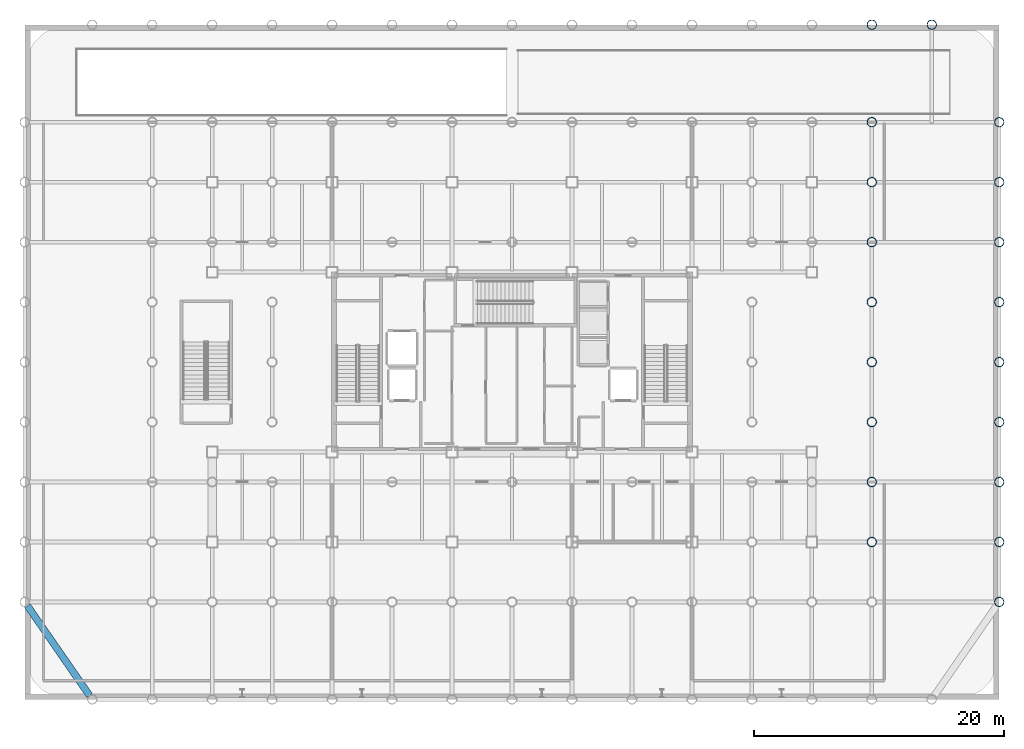
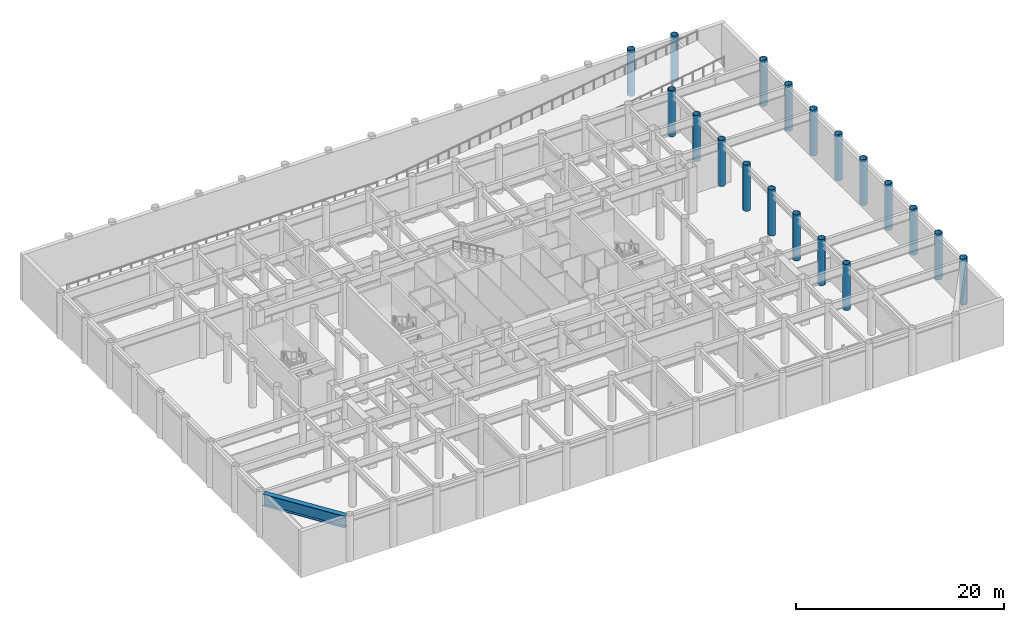
# One storey, part 4 of 16: 19 columns, 1 beam.
"""IFC4 building model written with IfcOpenShell, lengths in metres."""

import ifcopenshell
import ifcopenshell.guid

model = None  # the IFC model being written
_history = None  # IfcOwnerHistory: only IFC2X3 demands one
_inside = {}  # id of a spatial element -> (the spatial element, [elements in it])
_under = {}  # id of a project, library or spatial element -> (it, [spatial elements below it])
_declared = {}  # id of a project -> (the project, [libraries it declares])
_typed = {}  # id of a type object -> (the type object, [elements of that type])
_made_of = {}  # id of a material, layer set ... -> (it, [elements and type objects made of it])


def new_model(schema):
    """Start an empty IFC model of exactly this schema.

    Asked for "IFC4X3", IfcOpenShell would pick the latest addendum, in which some entities
    have other attributes; the version numbers below select the first issue.
    IFC2X3 requires an IfcOwnerHistory on every rooted entity: one is made here for all.
    """
    global model, _history
    if schema == "IFC4X3":
        model = ifcopenshell.file(schema_version=(4, 3, 0, 0))
    else:
        model = ifcopenshell.file(schema=schema)
    _inside.clear()
    _under.clear()
    _declared.clear()
    _typed.clear()
    _made_of.clear()
    _history = None
    if model.schema == "IFC2X3":
        org = make("IfcOrganization", Name="unknown")
        user = make(
            "IfcPersonAndOrganization",
            ThePerson=make("IfcPerson", FamilyName="unknown"),
            TheOrganization=org,
        )
        app = make(
            "IfcApplication",
            ApplicationDeveloper=org,
            Version="unknown",
            ApplicationFullName="unknown",
            ApplicationIdentifier="unknown",
        )
        _history = make(
            "IfcOwnerHistory",
            OwningUser=user,
            OwningApplication=app,
            ChangeAction="ADDED",
            CreationDate=0,
        )
    return model


def make(cls, **values):
    """One entity of the class cls with the attributes given. An attribute that is None is left unset."""
    return model.create_entity(
        cls, **{name: value for name, value in values.items() if value is not None}
    )


def rooted(cls, **values):
    """An entity with a GlobalId (a new one), such as an element, a storey or a relation."""
    return make(cls, GlobalId=ifcopenshell.guid.new(), OwnerHistory=_history, **values)


def si_unit(unit_type, name, prefix=None):
    """IfcSIUnit, for example si_unit("LENGTHUNIT", "METRE", prefix="MILLI")."""
    return make("IfcSIUnit", UnitType=unit_type, Prefix=prefix, Name=name)


def assignment(units):
    """IfcUnitAssignment: the units of a project."""
    return None if units is None else make("IfcUnitAssignment", Units=units)


def point(xyz):
    """IfcCartesianPoint."""
    return None if xyz is None else make("IfcCartesianPoint", Coordinates=xyz)


def direction(xyz):
    """IfcDirection."""
    return None if xyz is None else make("IfcDirection", DirectionRatios=xyz)


def frame(location, z_axis=None, x_axis=None):
    """IfcAxis2Placement3D, a coordinate frame: its origin and axes. An axis left out is left unset."""
    return make(
        "IfcAxis2Placement3D",
        Location=point(location),
        Axis=direction(z_axis),
        RefDirection=direction(x_axis),
    )


def frame_2d(location, x_axis=None):
    """IfcAxis2Placement2D, a coordinate frame in the plane: its origin and x axis."""
    return make(
        "IfcAxis2Placement2D", Location=point(location), RefDirection=direction(x_axis)
    )


def origin():
    """The frame at (0, 0, 0) with its axes left unset."""
    return frame((0.0, 0.0, 0.0))


def origin_2d():
    """The frame at (0, 0) in the plane with its x axis left unset."""
    return frame_2d((0.0, 0.0))


def place(relative_to, where):
    """IfcLocalPlacement: puts the frame where relative to a parent placement (None: the world)."""
    return make(
        "IfcLocalPlacement", PlacementRelTo=relative_to, RelativePlacement=where
    )


def context(
    kind, dimensions, precision=None, world=None, true_north=None, identifier=None
):
    """IfcGeometricRepresentationContext, for example the 3D "Model" context."""
    return make(
        "IfcGeometricRepresentationContext",
        ContextIdentifier=identifier,
        ContextType=kind,
        CoordinateSpaceDimension=dimensions,
        Precision=precision,
        WorldCoordinateSystem=world,
        TrueNorth=true_north,
    )


def subcontext(parent, identifier, kind, view, scale=None):
    """IfcGeometricRepresentationSubContext, for example "Body" below "Model"."""
    return make(
        "IfcGeometricRepresentationSubContext",
        ContextIdentifier=identifier,
        ContextType=kind,
        ParentContext=parent,
        TargetScale=scale,
        TargetView=view,
    )


def project(units=None, contexts=None):
    """IfcProject with its units and contexts."""
    return rooted(
        "IfcProject",
        Name="project",
        RepresentationContexts=contexts,
        UnitsInContext=assignment(units),
    )


def spatial(cls, under=None, at=None, **own):
    """A site, building, storey or space (cls), placed at a placement, below another one or the project."""
    s = rooted(cls, ObjectPlacement=at, **own)
    if under is not None:
        _under.setdefault(under.id(), (under, []))[1].append(s)
    return s


def profile(cls, at=None, kind="AREA", **sizes):
    """A parametric profile (cls). Its sizes go by their IFC names, for example OverallWidth=200.0."""
    return make(cls, ProfileType=kind, Position=at, **sizes)


def hollow_circle(**sizes):
    """IfcCircleHollowProfileDef."""
    return profile("IfcCircleHollowProfileDef", **sizes)


def i_section(**sizes):
    """IfcIShapeProfileDef."""
    return profile("IfcIShapeProfileDef", **sizes)


def extrude(swept, where, along, depth):
    """IfcExtrudedAreaSolid: the profile swept, set in the frame where, extruded along a direction by depth."""
    return make(
        "IfcExtrudedAreaSolid",
        SweptArea=swept,
        Position=where,
        ExtrudedDirection=direction(along),
        Depth=depth,
    )


def shape(context_of_items, identifier, shape_type, items):
    """IfcShapeRepresentation: the items that make up one representation, for example the "Body"."""
    return make(
        "IfcShapeRepresentation",
        ContextOfItems=context_of_items,
        RepresentationIdentifier=identifier,
        RepresentationType=shape_type,
        Items=items,
    )


def material(Name=None, Category=None):
    """IfcMaterial."""
    return make("IfcMaterial", Name=Name, Category=Category)


def material_profile(
    of_material, cross_section, Name=None, Category=None, Priority=None
):
    """IfcMaterialProfile: a cross section and its material."""
    return make(
        "IfcMaterialProfile",
        Name=Name,
        Material=of_material,
        Profile=cross_section,
        Priority=Priority,
        Category=Category,
    )


def profile_set(profiles, Name=None, composite=None):
    """IfcMaterialProfileSet."""
    return make(
        "IfcMaterialProfileSet",
        Name=Name,
        MaterialProfiles=profiles,
        CompositeProfile=composite,
    )


def made_of(thing, what):
    """Note that an element or type object is made of a material, layer set ...; save() writes the relation."""
    if what is not None:
        _made_of.setdefault(what.id(), (what, []))[1].append(thing)
    return thing


def type_object(cls, material=None, **own):
    """A type object (cls), such as IfcWallType, which elements share."""
    return made_of(rooted(cls, **own), material)


def element(
    cls,
    number,
    at=None,
    inside=None,
    cuts=None,
    type_object=None,
    material=None,
    context=None,
    identifier="Body",
    shape_type=None,
    held_by="IfcProductDefinitionShape",
    body=None,
    shapes=None,
    **own,
):
    """One element of the class cls, such as IfcWall. Its Tag is "e" and its number.

    at: its placement. inside: the storey or other place that contains it. cuts: it is an
    opening in that element (IfcRelVoidsElement). A single representation is given by context,
    identifier, shape_type and body (its items); several are given by shapes. held_by: the class
    of the entity that holds the representations. save() writes the other relations.
    """
    e = rooted(cls, Tag="e%d" % number, ObjectPlacement=at, **own)
    if body is not None:
        shapes = [shape(context, identifier, shape_type, body)]
    if shapes is not None:
        e.Representation = make(held_by, Representations=shapes)
    if inside is not None:
        _inside.setdefault(inside.id(), (inside, []))[1].append(e)
    if cuts is not None:
        rooted(
            "IfcRelVoidsElement", RelatingBuildingElement=cuts, RelatedOpeningElement=e
        )
    if type_object is not None:
        _typed.setdefault(type_object.id(), (type_object, []))[1].append(e)
    return made_of(e, material)


def aggregate(whole, parts):
    """IfcRelAggregates: a whole, such as a stair, and the parts it consists of."""
    return rooted("IfcRelAggregates", RelatingObject=whole, RelatedObjects=parts)


def save(model, path):
    """Write the relations noted so far, then the file.

    IfcRelAggregates (storeys below a building ...), IfcRelContainedInSpatialStructure (elements
    in a storey), IfcRelDefinesByType, IfcRelAssociatesMaterial and IfcRelDeclares: one each for
    every whole, place, type object, material and project.
    """
    for whole, parts in _under.values():
        aggregate(whole, parts)
    for where, things in _inside.values():
        rooted(
            "IfcRelContainedInSpatialStructure",
            RelatedElements=things,
            RelatingStructure=where,
        )
    for kind, things in _typed.values():
        rooted("IfcRelDefinesByType", RelatedObjects=things, RelatingType=kind)
    for what, things in _made_of.values():
        rooted("IfcRelAssociatesMaterial", RelatedObjects=things, RelatingMaterial=what)
    for by, libraries in _declared.values():
        rooted("IfcRelDeclares", RelatingContext=by, RelatedDefinitions=libraries)
    model.write(path)


model = new_model("IFC4")

# Units and contexts
model_context = context("Model", 3, precision=1e-05, world=origin(), true_north=direction((0.0, 1.0)))
body_context = subcontext(model_context, "Body", "Model", "MODEL_VIEW")
ifc_project = project(units=[si_unit("LENGTHUNIT", "METRE"), si_unit("AREAUNIT", "SQUARE_METRE"), si_unit("VOLUMEUNIT", "CUBIC_METRE"), si_unit("PLANEANGLEUNIT", "RADIAN"), si_unit("MASSUNIT", "GRAM", prefix="KILO")], contexts=[model_context])

# Site, building, storey
site_placement = place(None, origin())
site = spatial("IfcSite", under=ifc_project, at=site_placement, CompositionType="ELEMENT")
building_placement = place(site_placement, origin())
building = spatial("IfcBuilding", under=site, at=building_placement, Name="Kallvorn Hotel Tower", CompositionType="ELEMENT")
storey_placement = place(building_placement, frame((0.0, 0.0, -5.39990234375)))
storey = spatial("IfcBuildingStorey", under=building, at=storey_placement, Name="B1", CompositionType="ELEMENT", Elevation=-5.39990234375)

# Columns
ifc_material_1 = material(Name="Structural steel S355J2H", Category="steel")
ifc_material_profile_1 = material_profile(ifc_material_1, hollow_circle(Radius=0.381103515625, WallThickness=0.031982421875, at=origin_2d()), Name="CHS 762x32")
ifc_profile_set_1 = profile_set([ifc_material_profile_1], Name="Structural steel S355J2H")
column_type = type_object("IfcColumnType", Name="COL_CHS_762", PredefinedType="COLUMN", material=ifc_profile_set_1)
for number, where, z_axis, x_axis, name in (
    (1, (28.800048828125, -14.39990234375, 0.0), (0.0, 0.0, 1.0), (1.0, 0.0, 0.0), "B1 Exoskeleton Column EC93"),
    (2, (28.800048828125, -9.60009765625, 0.0), (0.0, 0.0, 1.0), (1.0, 0.0, 0.0), "B1 Exoskeleton Column EC94"),
    (3, (28.800048828125, -4.800048828125, 0.0), (0.0, 0.0, 1.0), (1.0, 0.0, 0.0), "B1 Exoskeleton Column EC95"),
    (4, (28.800048828125, 0.0, 0.0), (0.0, 0.0, 1.0), (1.0, 0.0, 0.0), "B1 Exoskeleton Column EC96"),
    (5, (28.800048828125, 4.800048828125, 0.0), (0.0, 0.0, 1.0), (1.0, 0.0, 0.0), "B1 Exoskeleton Column EC97"),
    (6, (28.800048828125, 9.60009765625, 0.0), (0.0, 0.0, 1.0), (1.0, 0.0, 0.0), "B1 Exoskeleton Column EC98"),
    (7, (28.800048828125, 14.39990234375, 0.0), (0.0, 0.0, 1.0), (1.0, 0.0, 0.0), "B1 Exoskeleton Column EC99"),
    (8, (28.800048828125, 19.199951171875, 0.0), (0.0, 0.0, 1.0), (1.0, 0.0, 0.0), "B1 Exoskeleton Column EC100"),
    (9, (28.800048828125, 27.0, 0.0), (0.0, 0.0, 1.0), (1.0, 0.0, 0.0), "B1 Exoskeleton Column EC101"),
    (10, (33.60009765625, 27.0, 0.0), (0.0, 0.0, 1.0), (1.0, 0.0, 0.0), "B1 Exoskeleton Column EC103"),
    (11, (39.0, -19.199951171875, 0.0), (0.0, 0.0, 1.0), (1.0, 0.0, 0.0), "B1 Exoskeleton Column EC104"),
    (12, (39.0, -14.39990234375, 0.0), (0.0, 0.0, 1.0), (1.0, 0.0, 0.0), "B1 Exoskeleton Column EC105"),
    (13, (39.0, -9.60009765625, 0.0), (0.0, 0.0, 1.0), (1.0, 0.0, 0.0), "B1 Exoskeleton Column EC106"),
    (14, (39.0, -4.800048828125, 0.0), (0.0, 0.0, 1.0), (1.0, 0.0, 0.0), "B1 Exoskeleton Column EC107"),
    (15, (39.0, 0.0, 0.0), (0.0, 0.0, 1.0), (1.0, 0.0, 0.0), "B1 Exoskeleton Column EC108"),
    (16, (39.0, 4.800048828125, 0.0), (0.0, 0.0, 1.0), (1.0, 0.0, 0.0), "B1 Exoskeleton Column EC109"),
    (17, (39.0, 9.60009765625, 0.0), (0.0, 0.0, 1.0), (1.0, 0.0, 0.0), "B1 Exoskeleton Column EC110"),
    (18, (39.0, 14.39990234375, 0.0), (0.0, 0.0, 1.0), (1.0, 0.0, 0.0), "B1 Exoskeleton Column EC111"),
    (19, (39.0, 19.199951171875, 0.0), (0.0, 0.0, 1.0), (1.0, 0.0, 0.0), "B1 Exoskeleton Column EC112"),
):
    element("IfcColumn", number, at=place(storey_placement, frame(where, z_axis=z_axis, x_axis=x_axis)), inside=storey, type_object=column_type, Name=name, PredefinedType="COLUMN", context=body_context, shape_type="SweptSolid", body=[
        extrude(hollow_circle(Radius=0.381103515625, WallThickness=0.031982421875, at=origin_2d()), origin(), (0.0, 0.0, 1.0), 5.39990234375),
    ])

# Beam
ifc_material_2 = material(Name="Structural steel S355JR", Category="steel")
ifc_material_profile_2 = material_profile(ifc_material_2, i_section(OverallWidth=0.550048828125, OverallDepth=1.39990234375, WebThickness=0.02490234375, FlangeThickness=0.044921875, at=origin_2d()), Name="PG 1400x550x25x45")
ifc_profile_set_2 = profile_set([ifc_material_profile_2], Name="Structural steel S355JR")
beam_type = type_object("IfcBeamType", Name="BM_PG_1400", PredefinedType="BEAM", material=ifc_profile_set_2)
beam_placement = place(storey_placement, frame((-38.788818359375, -19.5048828125, 4.449951171875), z_axis=(0.569188202743, -0.82220726697, 0.0), x_axis=(0.82220726697, 0.569188202743, 0.0)))
element("IfcBeam", 20, at=beam_placement, inside=storey, type_object=beam_type, Name="L00 Rounded Corner Tie Beam 218", PredefinedType="BEAM", context=body_context, shape_type="SweptSolid", body=[
    extrude(i_section(OverallWidth=0.550048828125, OverallDepth=1.39990234375, WebThickness=0.02490234375, FlangeThickness=0.044921875, at=origin_2d()), origin(), (0.0, 0.0, 1.0), 8.744873046875),
])

save(model, "model.ifc")
